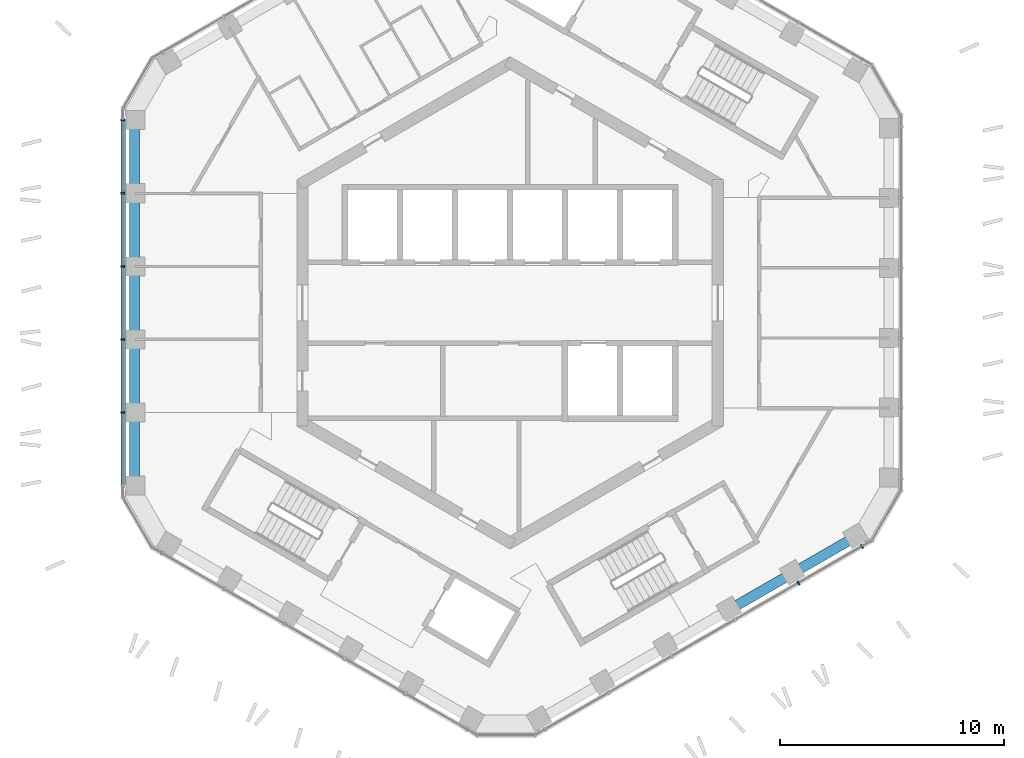
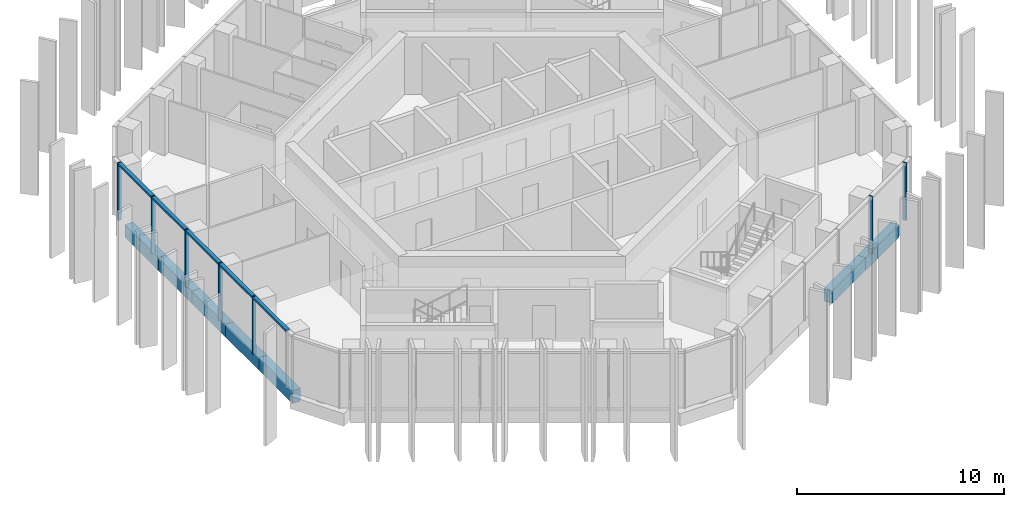
# One storey, part 3 of 18: 8 members, 7 beams, 2 elements without a shape of their own.
"""IFC4 building model written with IfcOpenShell, lengths in metres."""

import ifcopenshell
import ifcopenshell.guid

model = None  # the IFC model being written
_history = None  # IfcOwnerHistory: only IFC2X3 demands one
_inside = {}  # id of a spatial element -> (the spatial element, [elements in it])
_under = {}  # id of a project, library or spatial element -> (it, [spatial elements below it])
_declared = {}  # id of a project -> (the project, [libraries it declares])
_typed = {}  # id of a type object -> (the type object, [elements of that type])
_made_of = {}  # id of a material, layer set ... -> (it, [elements and type objects made of it])


def new_model(schema):
    """Start an empty IFC model of exactly this schema.

    Asked for "IFC4X3", IfcOpenShell would pick the latest addendum, in which some entities
    have other attributes; the version numbers below select the first issue.
    IFC2X3 requires an IfcOwnerHistory on every rooted entity: one is made here for all.
    """
    global model, _history
    if schema == "IFC4X3":
        model = ifcopenshell.file(schema_version=(4, 3, 0, 0))
    else:
        model = ifcopenshell.file(schema=schema)
    _inside.clear()
    _under.clear()
    _declared.clear()
    _typed.clear()
    _made_of.clear()
    _history = None
    if model.schema == "IFC2X3":
        org = make("IfcOrganization", Name="unknown")
        user = make(
            "IfcPersonAndOrganization",
            ThePerson=make("IfcPerson", FamilyName="unknown"),
            TheOrganization=org,
        )
        app = make(
            "IfcApplication",
            ApplicationDeveloper=org,
            Version="unknown",
            ApplicationFullName="unknown",
            ApplicationIdentifier="unknown",
        )
        _history = make(
            "IfcOwnerHistory",
            OwningUser=user,
            OwningApplication=app,
            ChangeAction="ADDED",
            CreationDate=0,
        )
    return model


def make(cls, **values):
    """One entity of the class cls with the attributes given. An attribute that is None is left unset."""
    return model.create_entity(
        cls, **{name: value for name, value in values.items() if value is not None}
    )


def rooted(cls, **values):
    """An entity with a GlobalId (a new one), such as an element, a storey or a relation."""
    return make(cls, GlobalId=ifcopenshell.guid.new(), OwnerHistory=_history, **values)


def si_unit(unit_type, name, prefix=None):
    """IfcSIUnit, for example si_unit("LENGTHUNIT", "METRE", prefix="MILLI")."""
    return make("IfcSIUnit", UnitType=unit_type, Prefix=prefix, Name=name)


def assignment(units):
    """IfcUnitAssignment: the units of a project."""
    return None if units is None else make("IfcUnitAssignment", Units=units)


def point(xyz):
    """IfcCartesianPoint."""
    return None if xyz is None else make("IfcCartesianPoint", Coordinates=xyz)


def direction(xyz):
    """IfcDirection."""
    return None if xyz is None else make("IfcDirection", DirectionRatios=xyz)


def frame(location, z_axis=None, x_axis=None):
    """IfcAxis2Placement3D, a coordinate frame: its origin and axes. An axis left out is left unset."""
    return make(
        "IfcAxis2Placement3D",
        Location=point(location),
        Axis=direction(z_axis),
        RefDirection=direction(x_axis),
    )


def frame_2d(location, x_axis=None):
    """IfcAxis2Placement2D, a coordinate frame in the plane: its origin and x axis."""
    return make(
        "IfcAxis2Placement2D", Location=point(location), RefDirection=direction(x_axis)
    )


def origin():
    """The frame at (0, 0, 0) with its axes left unset."""
    return frame((0.0, 0.0, 0.0))


def origin_2d():
    """The frame at (0, 0) in the plane with its x axis left unset."""
    return frame_2d((0.0, 0.0))


def place(relative_to, where):
    """IfcLocalPlacement: puts the frame where relative to a parent placement (None: the world)."""
    return make(
        "IfcLocalPlacement", PlacementRelTo=relative_to, RelativePlacement=where
    )


def context(
    kind, dimensions, precision=None, world=None, true_north=None, identifier=None
):
    """IfcGeometricRepresentationContext, for example the 3D "Model" context."""
    return make(
        "IfcGeometricRepresentationContext",
        ContextIdentifier=identifier,
        ContextType=kind,
        CoordinateSpaceDimension=dimensions,
        Precision=precision,
        WorldCoordinateSystem=world,
        TrueNorth=true_north,
    )


def subcontext(parent, identifier, kind, view, scale=None):
    """IfcGeometricRepresentationSubContext, for example "Body" below "Model"."""
    return make(
        "IfcGeometricRepresentationSubContext",
        ContextIdentifier=identifier,
        ContextType=kind,
        ParentContext=parent,
        TargetScale=scale,
        TargetView=view,
    )


def project(units=None, contexts=None):
    """IfcProject with its units and contexts."""
    return rooted(
        "IfcProject",
        Name="project",
        RepresentationContexts=contexts,
        UnitsInContext=assignment(units),
    )


def spatial(cls, under=None, at=None, **own):
    """A site, building, storey or space (cls), placed at a placement, below another one or the project."""
    s = rooted(cls, ObjectPlacement=at, **own)
    if under is not None:
        _under.setdefault(under.id(), (under, []))[1].append(s)
    return s


def profile(cls, at=None, kind="AREA", **sizes):
    """A parametric profile (cls). Its sizes go by their IFC names, for example OverallWidth=200.0."""
    return make(cls, ProfileType=kind, Position=at, **sizes)


def rectangle(**sizes):
    """IfcRectangleProfileDef."""
    return profile("IfcRectangleProfileDef", **sizes)


def extrude(swept, where, along, depth):
    """IfcExtrudedAreaSolid: the profile swept, set in the frame where, extruded along a direction by depth."""
    return make(
        "IfcExtrudedAreaSolid",
        SweptArea=swept,
        Position=where,
        ExtrudedDirection=direction(along),
        Depth=depth,
    )


def shape(context_of_items, identifier, shape_type, items):
    """IfcShapeRepresentation: the items that make up one representation, for example the "Body"."""
    return make(
        "IfcShapeRepresentation",
        ContextOfItems=context_of_items,
        RepresentationIdentifier=identifier,
        RepresentationType=shape_type,
        Items=items,
    )


def material(Name=None, Category=None):
    """IfcMaterial."""
    return make("IfcMaterial", Name=Name, Category=Category)


def layer(
    of_material, thickness, ventilated=None, Name=None, Category=None, Priority=None
):
    """IfcMaterialLayer: one layer of a wall or slab, of a material (None: an air gap)."""
    return make(
        "IfcMaterialLayer",
        Material=of_material,
        LayerThickness=thickness,
        IsVentilated=ventilated,
        Name=Name,
        Category=Category,
        Priority=Priority,
    )


def layer_set(layers, Name=None):
    """IfcMaterialLayerSet."""
    return make("IfcMaterialLayerSet", MaterialLayers=layers, LayerSetName=Name)


def material_profile(
    of_material, cross_section, Name=None, Category=None, Priority=None
):
    """IfcMaterialProfile: a cross section and its material."""
    return make(
        "IfcMaterialProfile",
        Name=Name,
        Material=of_material,
        Profile=cross_section,
        Priority=Priority,
        Category=Category,
    )


def profile_set(profiles, Name=None, composite=None):
    """IfcMaterialProfileSet."""
    return make(
        "IfcMaterialProfileSet",
        Name=Name,
        MaterialProfiles=profiles,
        CompositeProfile=composite,
    )


def made_of(thing, what):
    """Note that an element or type object is made of a material, layer set ...; save() writes the relation."""
    if what is not None:
        _made_of.setdefault(what.id(), (what, []))[1].append(thing)
    return thing


def type_object(cls, material=None, **own):
    """A type object (cls), such as IfcWallType, which elements share."""
    return made_of(rooted(cls, **own), material)


def element(
    cls,
    number,
    at=None,
    inside=None,
    cuts=None,
    type_object=None,
    material=None,
    context=None,
    identifier="Body",
    shape_type=None,
    held_by="IfcProductDefinitionShape",
    body=None,
    shapes=None,
    **own,
):
    """One element of the class cls, such as IfcWall. Its Tag is "e" and its number.

    at: its placement. inside: the storey or other place that contains it. cuts: it is an
    opening in that element (IfcRelVoidsElement). A single representation is given by context,
    identifier, shape_type and body (its items); several are given by shapes. held_by: the class
    of the entity that holds the representations. save() writes the other relations.
    """
    e = rooted(cls, Tag="e%d" % number, ObjectPlacement=at, **own)
    if body is not None:
        shapes = [shape(context, identifier, shape_type, body)]
    if shapes is not None:
        e.Representation = make(held_by, Representations=shapes)
    if inside is not None:
        _inside.setdefault(inside.id(), (inside, []))[1].append(e)
    if cuts is not None:
        rooted(
            "IfcRelVoidsElement", RelatingBuildingElement=cuts, RelatedOpeningElement=e
        )
    if type_object is not None:
        _typed.setdefault(type_object.id(), (type_object, []))[1].append(e)
    return made_of(e, material)


def aggregate(whole, parts):
    """IfcRelAggregates: a whole, such as a stair, and the parts it consists of."""
    return rooted("IfcRelAggregates", RelatingObject=whole, RelatedObjects=parts)


def save(model, path):
    """Write the relations noted so far, then the file.

    IfcRelAggregates (storeys below a building ...), IfcRelContainedInSpatialStructure (elements
    in a storey), IfcRelDefinesByType, IfcRelAssociatesMaterial and IfcRelDeclares: one each for
    every whole, place, type object, material and project.
    """
    for whole, parts in _under.values():
        aggregate(whole, parts)
    for where, things in _inside.values():
        rooted(
            "IfcRelContainedInSpatialStructure",
            RelatedElements=things,
            RelatingStructure=where,
        )
    for kind, things in _typed.values():
        rooted("IfcRelDefinesByType", RelatedObjects=things, RelatingType=kind)
    for what, things in _made_of.values():
        rooted("IfcRelAssociatesMaterial", RelatedObjects=things, RelatingMaterial=what)
    for by, libraries in _declared.values():
        rooted("IfcRelDeclares", RelatingContext=by, RelatedDefinitions=libraries)
    model.write(path)


model = new_model("IFC4")

# Units and contexts
model_context = context("Model", 3, precision=1e-05, world=origin(), true_north=direction((0.0, 1.0)))
body_context = subcontext(model_context, "Body", "Model", "MODEL_VIEW")
ifc_project = project(units=[si_unit("LENGTHUNIT", "METRE"), si_unit("AREAUNIT", "SQUARE_METRE"), si_unit("VOLUMEUNIT", "CUBIC_METRE"), si_unit("PLANEANGLEUNIT", "RADIAN"), si_unit("MASSUNIT", "GRAM", prefix="KILO")], contexts=[model_context])

# Site, building, storey
site_placement = place(None, origin())
site = spatial("IfcSite", under=ifc_project, at=site_placement, CompositionType="ELEMENT")
building_placement = place(site_placement, origin())
building = spatial("IfcBuilding", under=site, at=building_placement, Name="Ayvan Gate Tower", CompositionType="ELEMENT")
storey_placement = place(building_placement, frame((0.0, 0.0, 229.10009765625)))
storey = spatial("IfcBuildingStorey", under=building, at=storey_placement, Name="L61", CompositionType="ELEMENT", Elevation=229.10009765625)

# Beams
ifc_material_1 = material(Name="Concrete C40/50", Category="concrete")
ifc_material_profile_1 = material_profile(ifc_material_1, rectangle(XDim=0.449951171875, YDim=0.75, at=origin_2d()), Name="RC 450x750")
ifc_profile_set_1 = profile_set([ifc_material_profile_1], Name="Concrete C40/50")
beam_type = type_object("IfcBeamType", Name="Spandrel beam RC 450x750 C40/50", PredefinedType="BEAM", material=ifc_profile_set_1)
for number, where, z_axis, x_axis, name in (
    (1, (-16.72216796875, 8.113525390625, -0.72509765625), (0.0, -1.0, 0.0), (1.0, 0.0, 0.0), "SB-L61-19"),
    (2, (-16.72216796875, 4.8681640625, -0.72509765625), (0.0, -1.0, 0.0), (1.0, 0.0, 0.0), "SB-L61-20"),
):
    element("IfcBeam", number, at=place(storey_placement, frame(where, z_axis=z_axis, x_axis=x_axis)), inside=storey, type_object=beam_type, Name=name, PredefinedType="BEAM", context=body_context, shape_type="SweptSolid", body=[
        extrude(rectangle(XDim=0.449951171875, YDim=0.75, at=origin_2d()), origin(), (0.0, 0.0, 1.0), 3.245361328125),
    ])
beam_placement = place(storey_placement, frame((-16.72216796875, 1.622802734375, -0.72509765625), z_axis=(0.0, -1.0, 0.0), x_axis=(1.0, 0.0, 0.0)))
element("IfcBeam", 3, at=beam_placement, inside=storey, type_object=beam_type, Name="SB-L61-21", PredefinedType="BEAM", context=body_context, shape_type="SweptSolid", body=[
    extrude(rectangle(XDim=0.449951171875, YDim=0.75, at=origin_2d()), origin(), (0.0, 0.0, 1.0), 3.24560546875),
])
for number, where, z_axis, x_axis, name in (
    (4, (-16.72216796875, -1.622802734375, -0.72509765625), (0.0, -1.0, 0.0), (1.0, 0.0, 0.0), "SB-L61-22"),
    (5, (-16.72216796875, -4.8681640625, -0.72509765625), (0.0, -1.0, 0.0), (1.0, 0.0, 0.0), "SB-L61-23"),
    (6, (9.766357421875, -13.67041015625, -0.72509765625), (0.866040267459, 0.499974254476, 0.0), (-0.499974254476, 0.866040267459, 0.0), "SB-L61-34"),
    (7, (12.576904296875, -12.0478515625, -0.72509765625), (0.866007692701, 0.500030675242, 0.0), (-0.500030675242, 0.866007692701, 0.0), "SB-L61-35"),
):
    element("IfcBeam", number, at=place(storey_placement, frame(where, z_axis=z_axis, x_axis=x_axis)), inside=storey, type_object=beam_type, Name=name, PredefinedType="BEAM", context=body_context, shape_type="SweptSolid", body=[
        extrude(rectangle(XDim=0.449951171875, YDim=0.75, at=origin_2d()), origin(), (0.0, 0.0, 1.0), 3.245361328125),
    ])

# Curtain wall, members
ifc_material_2 = material(Name="Bronze anodised aluminium", Category="aluminium")
ifc_layer = layer(ifc_material_2, 0.199951171875)
ifc_layer_set = layer_set([ifc_layer], Name="Bronze anodised aluminium")
curtain_wall_type = type_object("IfcCurtainWallType", Name="Stick curtain wall CW-2", PredefinedType="NOTDEFINED", material=ifc_layer_set)
curtain_wall_1_placement = place(storey_placement, origin())
curtain_wall_1 = element("IfcCurtainWall", 8, at=curtain_wall_1_placement, inside=storey, type_object=curtain_wall_type, Name="Stick curtain wall CW-2 L61", PredefinedType="NOTDEFINED")
ifc_material_profile_2 = material_profile(ifc_material_2, rectangle(XDim=0.199951171875, YDim=0.070068359375, at=origin_2d()), Name="Stick curtain wall CW-2 mullion 200 x 70")
ifc_profile_set_2 = profile_set([ifc_material_profile_2], Name="Bronze anodised aluminium")
member_type_1 = type_object("IfcMemberType", Name="Stick curtain wall CW-2 mullion 200 x 70", PredefinedType="MULLION", material=ifc_profile_set_2)
member_1_placement = place(storey_placement, frame((-17.234375, 8.15478515625, 0.0), z_axis=(0.0, 0.0, 1.0), x_axis=(-1.0, 0.0, 0.0)))
member_1 = element("IfcMember", 9, at=member_1_placement, type_object=member_type_1, Name="CW-2 mullion 1", PredefinedType="MULLION", context=body_context, shape_type="SweptSolid", body=[
    extrude(rectangle(XDim=0.199951171875, YDim=0.070068359375, at=origin_2d()), origin(), (0.0, 0.0, 1.0), 3.39990234375),
])
member_2_placement = place(storey_placement, frame((-17.234375, 4.8828125, 0.0), z_axis=(0.0, 0.0, 1.0), x_axis=(-1.0, 0.0, 0.0)))
member_2 = element("IfcMember", 10, at=member_2_placement, type_object=member_type_1, Name="CW-2 mullion 2", PredefinedType="MULLION", context=body_context, shape_type="SweptSolid", body=[
    extrude(rectangle(XDim=0.199951171875, YDim=0.070068359375, at=origin_2d()), origin(), (0.0, 0.0, 1.0), 3.39990234375),
])
member_3_placement = place(storey_placement, frame((-17.234375, 1.6279296875, 0.0), z_axis=(0.0, 0.0, 1.0), x_axis=(-1.0, 0.0, 0.0)))
member_3 = element("IfcMember", 11, at=member_3_placement, type_object=member_type_1, Name="CW-2 mullion 3", PredefinedType="MULLION", context=body_context, shape_type="SweptSolid", body=[
    extrude(rectangle(XDim=0.199951171875, YDim=0.070068359375, at=origin_2d()), origin(), (0.0, 0.0, 1.0), 3.39990234375),
])
member_4_placement = place(storey_placement, frame((-17.234375, -1.627197265625, 0.0), z_axis=(0.0, 0.0, 1.0), x_axis=(-1.0, 0.0, 0.0)))
member_4 = element("IfcMember", 12, at=member_4_placement, type_object=member_type_1, Name="CW-2 mullion 4", PredefinedType="MULLION", context=body_context, shape_type="SweptSolid", body=[
    extrude(rectangle(XDim=0.199951171875, YDim=0.070068359375, at=origin_2d()), origin(), (0.0, 0.0, 1.0), 3.39990234375),
])
member_5_placement = place(storey_placement, frame((-17.234375, -4.883056640625, 0.0), z_axis=(0.0, 0.0, 1.0), x_axis=(-1.0, 0.0, 0.0)))
member_5 = element("IfcMember", 13, at=member_5_placement, type_object=member_type_1, Name="CW-2 mullion 5", PredefinedType="MULLION", context=body_context, shape_type="SweptSolid", body=[
    extrude(rectangle(XDim=0.199951171875, YDim=0.070068359375, at=origin_2d()), origin(), (0.0, 0.0, 1.0), 3.39990234375),
])

curtain_wall_2_placement = place(storey_placement, origin())
curtain_wall_2 = element("IfcCurtainWall", 14, at=curtain_wall_2_placement, inside=storey, type_object=curtain_wall_type, Name="Stick curtain wall CW-2 L61", PredefinedType="NOTDEFINED")
member_6_placement = place(storey_placement, frame((12.84619140625, -12.48388671875, 0.0), z_axis=(0.0, 0.0, 1.0), x_axis=(0.5, -0.866025403784, 0.0)))
member_6 = element("IfcMember", 15, at=member_6_placement, type_object=member_type_1, Name="CW-2 mullion 5", PredefinedType="MULLION", context=body_context, shape_type="SweptSolid", body=[
    extrude(rectangle(XDim=0.199951171875, YDim=0.070068359375, at=origin_2d()), origin(), (0.0, 0.0, 1.0), 3.39990234375),
])
member_7_placement = place(storey_placement, frame((15.679443359375, -10.84814453125, 0.0), z_axis=(0.0, 0.0, 1.0), x_axis=(0.5, -0.866025403784, 0.0)))
member_7 = element("IfcMember", 16, at=member_7_placement, type_object=member_type_1, Name="CW-2 mullion 6", PredefinedType="MULLION", context=body_context, shape_type="SweptSolid", body=[
    extrude(rectangle(XDim=0.199951171875, YDim=0.070068359375, at=origin_2d()), origin(), (0.0, 0.0, 1.0), 3.39990234375),
])
aggregate(curtain_wall_2, [member_6, member_7])

# Member
ifc_material_profile_3 = material_profile(ifc_material_2, rectangle(XDim=0.199951171875, YDim=0.1201171875, at=origin_2d()), Name="Stick curtain wall CW-2 transom 200 x 120")
ifc_profile_set_3 = profile_set([ifc_material_profile_3], Name="Bronze anodised aluminium")
member_type_2 = type_object("IfcMemberType", Name="Stick curtain wall CW-2 transom 200 x 120", PredefinedType="USERDEFINED", material=ifc_profile_set_3)
member_8_placement = place(storey_placement, frame((-17.234375, 8.15478515625, 3.33984375), z_axis=(0.0, -1.0, 0.0), x_axis=(1.0, 0.0, 0.0)))
member_8 = element("IfcMember", 17, at=member_8_placement, type_object=member_type_2, Name="CW-2 transom 1", ObjectType="TRANSOM", PredefinedType="USERDEFINED", context=body_context, shape_type="SweptSolid", body=[
    extrude(rectangle(XDim=0.199951171875, YDim=0.1201171875, at=origin_2d()), origin(), (0.0, 0.0, 1.0), 16.3095703125),
])

aggregate(curtain_wall_1, [member_1, member_2, member_3, member_4, member_5, member_8])

save(model, "model.ifc")
